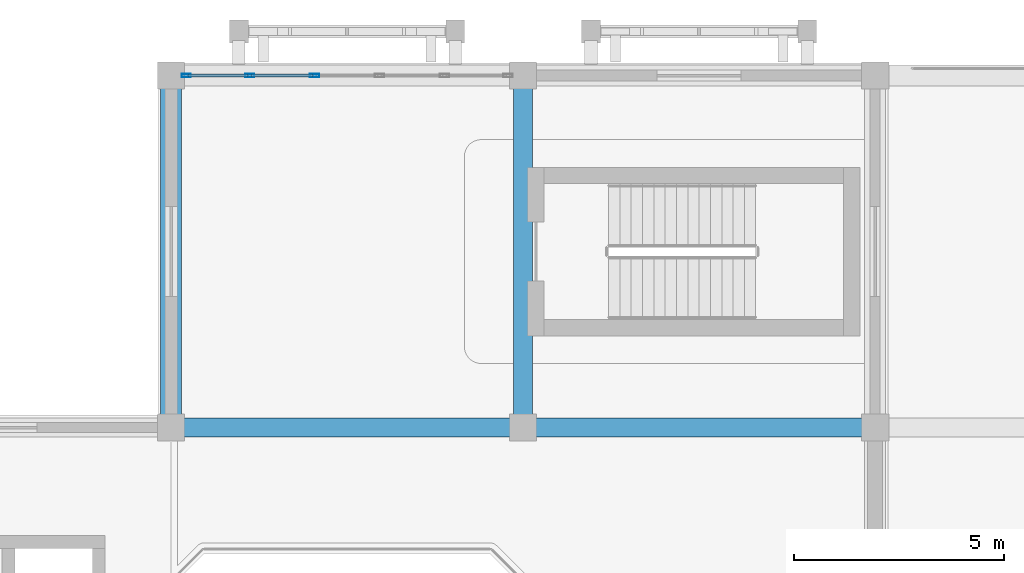
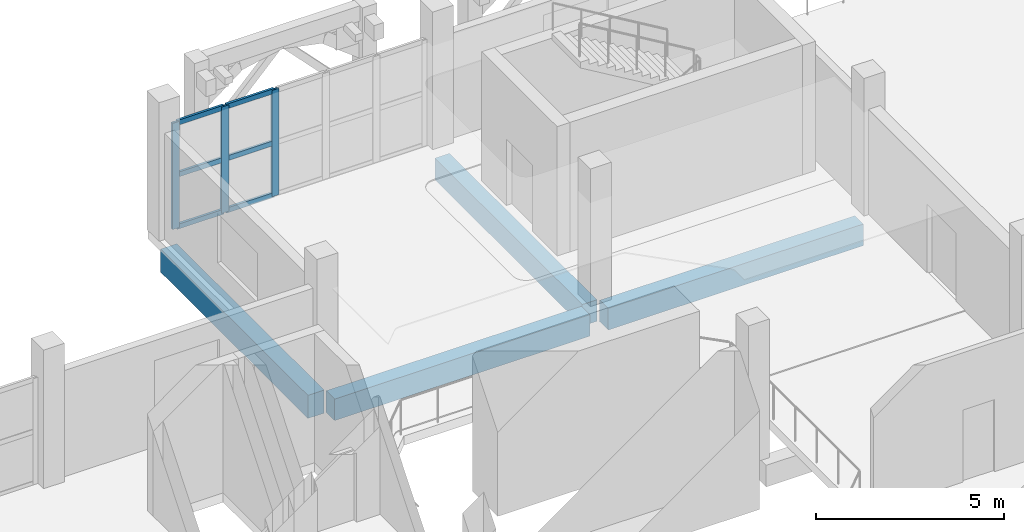
# One storey, part 10 of 22: 9 members, 4 beams, 1 element without a shape of its own.
"""IFC4 building model written with IfcOpenShell, lengths in metres."""

from ifc_helpers import new_model, si_unit, direction, frame, origin, origin_2d, place, context, subcontext, project, spatial, rectangle, hollow_rectangle, extrude, material, layer, layer_set, material_profile, profile_set, type_object, element, aggregate, save


model = new_model("IFC4")

# Units and contexts
model_context = context("Model", 3, precision=1e-05, world=origin(), true_north=direction((0.0, 1.0)))
body_context = subcontext(model_context, "Body", "Model", "MODEL_VIEW")
ifc_project = project(units=[si_unit("LENGTHUNIT", "METRE"), si_unit("AREAUNIT", "SQUARE_METRE"), si_unit("VOLUMEUNIT", "CUBIC_METRE"), si_unit("PLANEANGLEUNIT", "RADIAN"), si_unit("MASSUNIT", "GRAM", prefix="KILO")], contexts=[model_context])

# Site, building, storey
site_placement = place(None, origin())
site = spatial("IfcSite", under=ifc_project, at=site_placement, CompositionType="ELEMENT")
building_placement = place(site_placement, origin())
building = spatial("IfcBuilding", under=site, at=building_placement, Name="Xazarin Passage Department Store", CompositionType="ELEMENT")
storey_placement = place(building_placement, frame((0.0, 0.0, 27.89990234375)))
storey = spatial("IfcBuildingStorey", under=building, at=storey_placement, Name="L06", CompositionType="ELEMENT", Elevation=27.89990234375)

# Curtain wall, members
ifc_material_1 = material(Name="Bronze anodised aluminium", Category="aluminium")
ifc_layer = layer(ifc_material_1, 0.199951171875)
ifc_layer_set = layer_set([ifc_layer], Name="Bronze anodised aluminium")
curtain_wall_type = type_object("IfcCurtainWallType", Name="ARC-CW-VIT2", PredefinedType="NOTDEFINED", material=ifc_layer_set)
curtain_wall_placement = place(storey_placement, origin())
curtain_wall = element("IfcCurtainWall", 1, at=curtain_wall_placement, inside=storey, type_object=curtain_wall_type, Name="L06 V1 Curtain Wall 088", PredefinedType="NOTDEFINED")
ifc_material_profile_1 = material_profile(ifc_material_1, hollow_rectangle(XDim=0.074951171875, YDim=0.219970703125, WallThickness=0.0048828125, at=origin_2d()), Name="ALU 75x220")
ifc_profile_set_1 = profile_set([ifc_material_profile_1], Name="Bronze anodised aluminium")
member_type_1 = type_object("IfcMemberType", Name="ARC-CWM-75x220", PredefinedType="MULLION", material=ifc_profile_set_1)
member_1_placement = place(storey_placement, frame((17.16259765625, 110.0, 0.0), z_axis=(0.0, 0.0, 1.0), x_axis=(0.0, 1.0, 0.0)))
member_1 = element("IfcMember", 2, at=member_1_placement, type_object=member_type_1, Name="CW2 mullion 1", PredefinedType="MULLION", context=body_context, shape_type="SweptSolid", body=[
    extrude(hollow_rectangle(XDim=0.074951171875, YDim=0.219970703125, WallThickness=0.0048828125, at=origin_2d()), origin(), (0.0, 0.0, 1.0), 3.4501953125),
])
member_2_placement = place(storey_placement, frame((18.675048828125, 110.0, 0.0), z_axis=(0.0, 0.0, 1.0), x_axis=(0.0, 1.0, 0.0)))
member_2 = element("IfcMember", 3, at=member_2_placement, type_object=member_type_1, Name="CW2 mullion 2", PredefinedType="MULLION", context=body_context, shape_type="SweptSolid", body=[
    extrude(hollow_rectangle(XDim=0.074951171875, YDim=0.219970703125, WallThickness=0.0048828125, at=origin_2d()), origin(), (0.0, 0.0, 1.0), 3.4501953125),
])
member_3_placement = place(storey_placement, frame((20.22509765625, 110.0, 0.0), z_axis=(0.0, 0.0, 1.0), x_axis=(0.0, 1.0, 0.0)))
member_3 = element("IfcMember", 4, at=member_3_placement, type_object=member_type_1, Name="CW2 mullion 3", PredefinedType="MULLION", context=body_context, shape_type="SweptSolid", body=[
    extrude(hollow_rectangle(XDim=0.074951171875, YDim=0.219970703125, WallThickness=0.0048828125, at=origin_2d()), origin(), (0.0, 0.0, 1.0), 3.4501953125),
])
ifc_material_profile_2 = material_profile(ifc_material_1, hollow_rectangle(XDim=0.074951171875, YDim=0.159912109375, WallThickness=0.00439453125, at=origin_2d()), Name="ALU 75x160")
ifc_profile_set_2 = profile_set([ifc_material_profile_2], Name="Bronze anodised aluminium")
member_type_2 = type_object("IfcMemberType", Name="ARC-CWT-75x160", PredefinedType="USERDEFINED", material=ifc_profile_set_2)
member_4_placement = place(storey_placement, frame((17.199951171875, 110.0, 0.03759765625), z_axis=(1.0, 0.0, 0.0), x_axis=(0.0, 1.0, 0.0)))
member_4 = element("IfcMember", 5, at=member_4_placement, type_object=member_type_2, Name="CW2 transom 1.1", ObjectType="TRANSOM", PredefinedType="USERDEFINED", context=body_context, shape_type="SweptSolid", body=[
    extrude(hollow_rectangle(XDim=0.074951171875, YDim=0.159912109375, WallThickness=0.00439453125, at=origin_2d()), origin(), (0.0, 0.0, 1.0), 1.4375),
])
member_5_placement = place(storey_placement, frame((17.199951171875, 110.0, 1.72509765625), z_axis=(1.0, 0.0, 0.0), x_axis=(0.0, 1.0, 0.0)))
member_5 = element("IfcMember", 6, at=member_5_placement, type_object=member_type_2, Name="CW2 transom 1.2", ObjectType="TRANSOM", PredefinedType="USERDEFINED", context=body_context, shape_type="SweptSolid", body=[
    extrude(hollow_rectangle(XDim=0.074951171875, YDim=0.159912109375, WallThickness=0.00439453125, at=origin_2d()), origin(), (0.0, 0.0, 1.0), 1.4375),
])
member_6_placement = place(storey_placement, frame((17.199951171875, 110.0, 3.41259765625), z_axis=(1.0, 0.0, 0.0), x_axis=(0.0, 1.0, 0.0)))
member_6 = element("IfcMember", 7, at=member_6_placement, type_object=member_type_2, Name="CW2 transom 1.3", ObjectType="TRANSOM", PredefinedType="USERDEFINED", context=body_context, shape_type="SweptSolid", body=[
    extrude(hollow_rectangle(XDim=0.074951171875, YDim=0.159912109375, WallThickness=0.00439453125, at=origin_2d()), origin(), (0.0, 0.0, 1.0), 1.4375),
])
member_7_placement = place(storey_placement, frame((18.71240234375, 110.0, 0.03759765625), z_axis=(1.0, 0.0, 0.0), x_axis=(0.0, 1.0, 0.0)))
member_7 = element("IfcMember", 8, at=member_7_placement, type_object=member_type_2, Name="CW2 transom 2.1", ObjectType="TRANSOM", PredefinedType="USERDEFINED", context=body_context, shape_type="SweptSolid", body=[
    extrude(hollow_rectangle(XDim=0.074951171875, YDim=0.159912109375, WallThickness=0.00439453125, at=origin_2d()), origin(), (0.0, 0.0, 1.0), 1.47509765625),
])
member_8_placement = place(storey_placement, frame((18.71240234375, 110.0, 1.72509765625), z_axis=(1.0, 0.0, 0.0), x_axis=(0.0, 1.0, 0.0)))
member_8 = element("IfcMember", 9, at=member_8_placement, type_object=member_type_2, Name="CW2 transom 2.2", ObjectType="TRANSOM", PredefinedType="USERDEFINED", context=body_context, shape_type="SweptSolid", body=[
    extrude(hollow_rectangle(XDim=0.074951171875, YDim=0.159912109375, WallThickness=0.00439453125, at=origin_2d()), origin(), (0.0, 0.0, 1.0), 1.47509765625),
])
member_9_placement = place(storey_placement, frame((18.71240234375, 110.0, 3.41259765625), z_axis=(1.0, 0.0, 0.0), x_axis=(0.0, 1.0, 0.0)))
member_9 = element("IfcMember", 10, at=member_9_placement, type_object=member_type_2, Name="CW2 transom 2.3", ObjectType="TRANSOM", PredefinedType="USERDEFINED", context=body_context, shape_type="SweptSolid", body=[
    extrude(hollow_rectangle(XDim=0.074951171875, YDim=0.159912109375, WallThickness=0.00439453125, at=origin_2d()), origin(), (0.0, 0.0, 1.0), 1.47509765625),
])
aggregate(curtain_wall, [member_1, member_2, member_3, member_4, member_5, member_6, member_7, member_8, member_9])

# Beams
ifc_material_2 = material(Name="Concrete C35/45", Category="concrete")
ifc_material_profile_3 = material_profile(ifc_material_2, rectangle(XDim=0.449951171875, YDim=0.699951171875, at=origin_2d()), Name="RC 450x700")
ifc_profile_set_3 = profile_set([ifc_material_profile_3], Name="Concrete C35/45")
beam_type_1 = type_object("IfcBeamType", Name="STR-BM-G450x700", PredefinedType="BEAM", material=ifc_profile_set_3)
beam_1_placement = place(storey_placement, frame((17.080078125, 101.60009765625, -0.64990234375), z_axis=(1.0, 0.0, 0.0), x_axis=(0.0, 1.0, 0.0)))
element("IfcBeam", 11, at=beam_1_placement, inside=storey, type_object=beam_type_1, Name="L06 Grid Beam P/3-4", PredefinedType="BEAM", context=body_context, shape_type="SweptSolid", body=[
    extrude(rectangle(XDim=0.449951171875, YDim=0.699951171875, at=origin_2d()), origin(), (0.0, 0.0, 1.0), 7.83984375),
])
for number, where, z_axis, x_axis, name in (
    (12, (25.47998046875, 101.60009765625, -0.64990234375), (1.0, 0.0, 0.0), (0.0, 1.0, 0.0), "L06 Grid Beam P/4-5"),
    (13, (25.199951171875, 101.8798828125, -0.64990234375), (0.0, 1.0, 0.0), (-1.0, 0.0, 0.0), "L06 Grid Beam 4/P-Q"),
):
    element("IfcBeam", number, at=place(storey_placement, frame(where, z_axis=z_axis, x_axis=x_axis)), inside=storey, type_object=beam_type_1, Name=name, PredefinedType="BEAM", context=body_context, shape_type="SweptSolid", body=[
        extrude(rectangle(XDim=0.449951171875, YDim=0.699951171875, at=origin_2d()), origin(), (0.0, 0.0, 1.0), 7.840087890625),
    ])
ifc_material_profile_4 = material_profile(ifc_material_2, rectangle(XDim=0.5, YDim=0.75, at=origin_2d()), Name="RC 500x750")
ifc_profile_set_4 = profile_set([ifc_material_profile_4], Name="Concrete C35/45")
beam_type_2 = type_object("IfcBeamType", Name="STR-BM-SP500x750", PredefinedType="SPANDREL", material=ifc_profile_set_4)
beam_2_placement = place(storey_placement, frame((16.800048828125, 101.8798828125, -0.6748046875), z_axis=(0.0, 1.0, 0.0), x_axis=(-1.0, 0.0, 0.0)))
element("IfcBeam", 14, at=beam_2_placement, inside=storey, type_object=beam_type_2, Name="L06 Grid Beam 3/P-Q", PredefinedType="SPANDREL", context=body_context, shape_type="SweptSolid", body=[
    extrude(rectangle(XDim=0.5, YDim=0.75, at=origin_2d()), origin(), (0.0, 0.0, 1.0), 7.840087890625),
])

save(model, "model.ifc")
